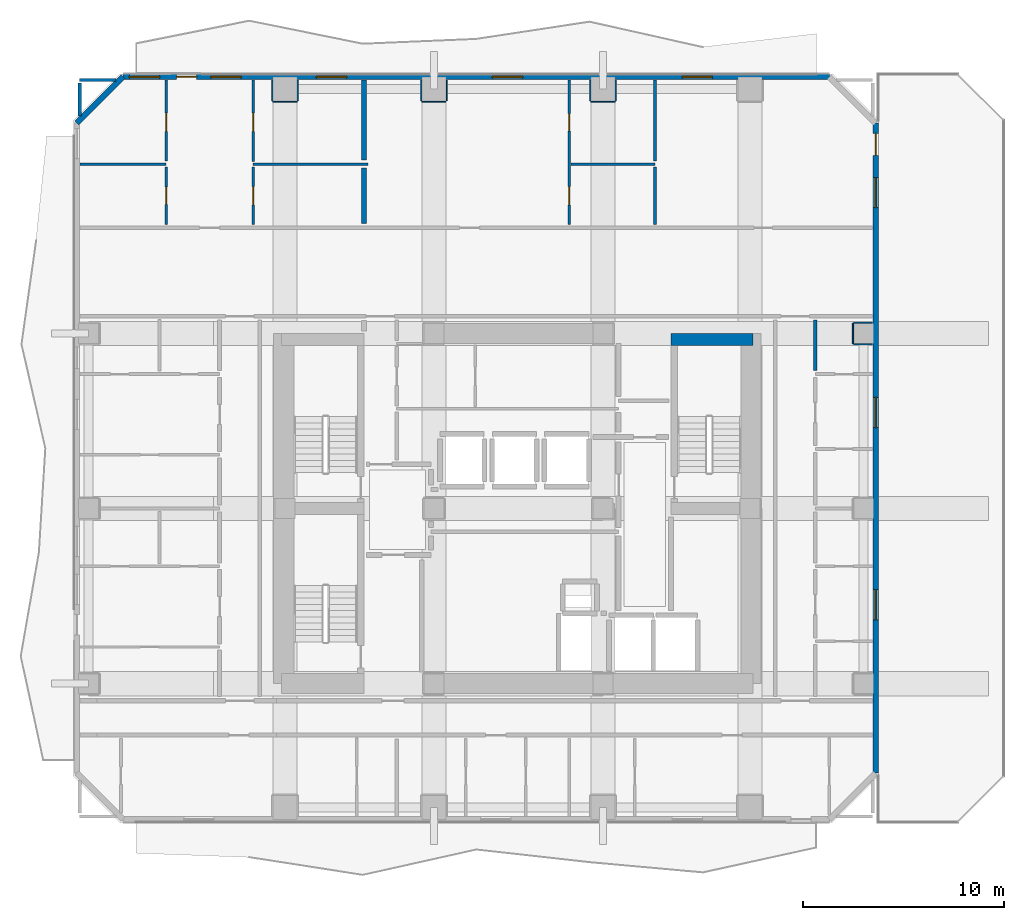
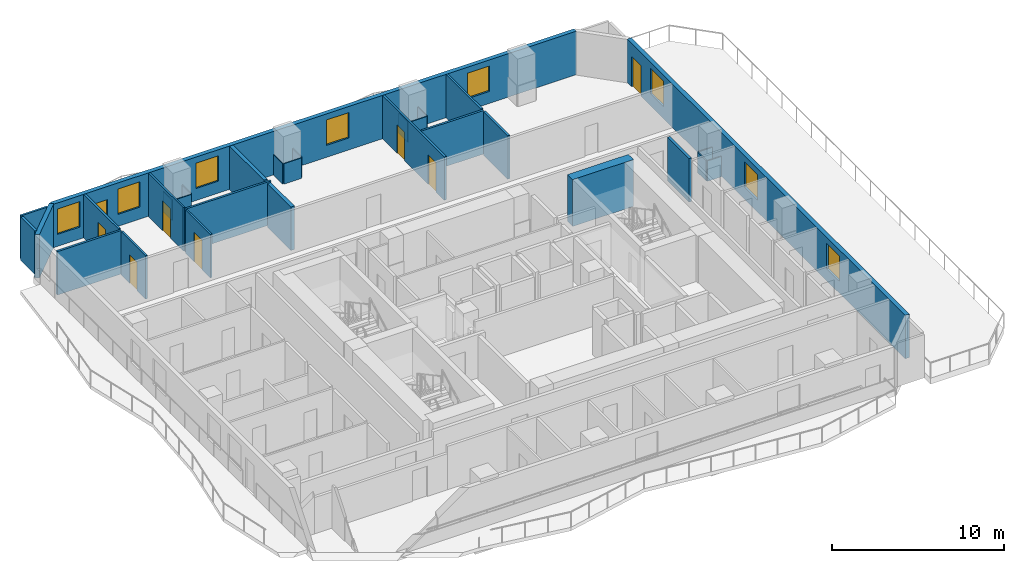
# One storey, part 6 of 11: 31 walls, 8 doors, 8 windows, 16 openings.
"""IFC4 building model written with IfcOpenShell, lengths in metres."""

import ifcopenshell
import ifcopenshell.guid

model = None  # the IFC model being written
_history = None  # IfcOwnerHistory: only IFC2X3 demands one
_inside = {}  # id of a spatial element -> (the spatial element, [elements in it])
_under = {}  # id of a project, library or spatial element -> (it, [spatial elements below it])
_declared = {}  # id of a project -> (the project, [libraries it declares])
_typed = {}  # id of a type object -> (the type object, [elements of that type])
_made_of = {}  # id of a material, layer set ... -> (it, [elements and type objects made of it])


def new_model(schema):
    """Start an empty IFC model of exactly this schema.

    Asked for "IFC4X3", IfcOpenShell would pick the latest addendum, in which some entities
    have other attributes; the version numbers below select the first issue.
    IFC2X3 requires an IfcOwnerHistory on every rooted entity: one is made here for all.
    """
    global model, _history
    if schema == "IFC4X3":
        model = ifcopenshell.file(schema_version=(4, 3, 0, 0))
    else:
        model = ifcopenshell.file(schema=schema)
    _inside.clear()
    _under.clear()
    _declared.clear()
    _typed.clear()
    _made_of.clear()
    _history = None
    if model.schema == "IFC2X3":
        org = make("IfcOrganization", Name="unknown")
        user = make(
            "IfcPersonAndOrganization",
            ThePerson=make("IfcPerson", FamilyName="unknown"),
            TheOrganization=org,
        )
        app = make(
            "IfcApplication",
            ApplicationDeveloper=org,
            Version="unknown",
            ApplicationFullName="unknown",
            ApplicationIdentifier="unknown",
        )
        _history = make(
            "IfcOwnerHistory",
            OwningUser=user,
            OwningApplication=app,
            ChangeAction="ADDED",
            CreationDate=0,
        )
    return model


def make(cls, **values):
    """One entity of the class cls with the attributes given. An attribute that is None is left unset."""
    return model.create_entity(
        cls, **{name: value for name, value in values.items() if value is not None}
    )


def rooted(cls, **values):
    """An entity with a GlobalId (a new one), such as an element, a storey or a relation."""
    return make(cls, GlobalId=ifcopenshell.guid.new(), OwnerHistory=_history, **values)


def si_unit(unit_type, name, prefix=None):
    """IfcSIUnit, for example si_unit("LENGTHUNIT", "METRE", prefix="MILLI")."""
    return make("IfcSIUnit", UnitType=unit_type, Prefix=prefix, Name=name)


def assignment(units):
    """IfcUnitAssignment: the units of a project."""
    return None if units is None else make("IfcUnitAssignment", Units=units)


def point(xyz):
    """IfcCartesianPoint."""
    return None if xyz is None else make("IfcCartesianPoint", Coordinates=xyz)


def direction(xyz):
    """IfcDirection."""
    return None if xyz is None else make("IfcDirection", DirectionRatios=xyz)


def frame(location, z_axis=None, x_axis=None):
    """IfcAxis2Placement3D, a coordinate frame: its origin and axes. An axis left out is left unset."""
    return make(
        "IfcAxis2Placement3D",
        Location=point(location),
        Axis=direction(z_axis),
        RefDirection=direction(x_axis),
    )


def frame_2d(location, x_axis=None):
    """IfcAxis2Placement2D, a coordinate frame in the plane: its origin and x axis."""
    return make(
        "IfcAxis2Placement2D", Location=point(location), RefDirection=direction(x_axis)
    )


def origin():
    """The frame at (0, 0, 0) with its axes left unset."""
    return frame((0.0, 0.0, 0.0))


def place(relative_to, where):
    """IfcLocalPlacement: puts the frame where relative to a parent placement (None: the world)."""
    return make(
        "IfcLocalPlacement", PlacementRelTo=relative_to, RelativePlacement=where
    )


def context(
    kind, dimensions, precision=None, world=None, true_north=None, identifier=None
):
    """IfcGeometricRepresentationContext, for example the 3D "Model" context."""
    return make(
        "IfcGeometricRepresentationContext",
        ContextIdentifier=identifier,
        ContextType=kind,
        CoordinateSpaceDimension=dimensions,
        Precision=precision,
        WorldCoordinateSystem=world,
        TrueNorth=true_north,
    )


def subcontext(parent, identifier, kind, view, scale=None):
    """IfcGeometricRepresentationSubContext, for example "Body" below "Model"."""
    return make(
        "IfcGeometricRepresentationSubContext",
        ContextIdentifier=identifier,
        ContextType=kind,
        ParentContext=parent,
        TargetScale=scale,
        TargetView=view,
    )


def project(units=None, contexts=None):
    """IfcProject with its units and contexts."""
    return rooted(
        "IfcProject",
        Name="project",
        RepresentationContexts=contexts,
        UnitsInContext=assignment(units),
    )


def spatial(cls, under=None, at=None, **own):
    """A site, building, storey or space (cls), placed at a placement, below another one or the project."""
    s = rooted(cls, ObjectPlacement=at, **own)
    if under is not None:
        _under.setdefault(under.id(), (under, []))[1].append(s)
    return s


def profile(cls, at=None, kind="AREA", **sizes):
    """A parametric profile (cls). Its sizes go by their IFC names, for example OverallWidth=200.0."""
    return make(cls, ProfileType=kind, Position=at, **sizes)


def rectangle(**sizes):
    """IfcRectangleProfileDef."""
    return profile("IfcRectangleProfileDef", **sizes)


def extrude(swept, where, along, depth):
    """IfcExtrudedAreaSolid: the profile swept, set in the frame where, extruded along a direction by depth."""
    return make(
        "IfcExtrudedAreaSolid",
        SweptArea=swept,
        Position=where,
        ExtrudedDirection=direction(along),
        Depth=depth,
    )


def shape(context_of_items, identifier, shape_type, items):
    """IfcShapeRepresentation: the items that make up one representation, for example the "Body"."""
    return make(
        "IfcShapeRepresentation",
        ContextOfItems=context_of_items,
        RepresentationIdentifier=identifier,
        RepresentationType=shape_type,
        Items=items,
    )


def material(Name=None, Category=None):
    """IfcMaterial."""
    return make("IfcMaterial", Name=Name, Category=Category)


def layer(
    of_material, thickness, ventilated=None, Name=None, Category=None, Priority=None
):
    """IfcMaterialLayer: one layer of a wall or slab, of a material (None: an air gap)."""
    return make(
        "IfcMaterialLayer",
        Material=of_material,
        LayerThickness=thickness,
        IsVentilated=ventilated,
        Name=Name,
        Category=Category,
        Priority=Priority,
    )


def layer_set(layers, Name=None):
    """IfcMaterialLayerSet."""
    return make("IfcMaterialLayerSet", MaterialLayers=layers, LayerSetName=Name)


def made_of(thing, what):
    """Note that an element or type object is made of a material, layer set ...; save() writes the relation."""
    if what is not None:
        _made_of.setdefault(what.id(), (what, []))[1].append(thing)
    return thing


def type_object(cls, material=None, **own):
    """A type object (cls), such as IfcWallType, which elements share."""
    return made_of(rooted(cls, **own), material)


def element(
    cls,
    number,
    at=None,
    inside=None,
    cuts=None,
    type_object=None,
    material=None,
    context=None,
    identifier="Body",
    shape_type=None,
    held_by="IfcProductDefinitionShape",
    body=None,
    shapes=None,
    **own,
):
    """One element of the class cls, such as IfcWall. Its Tag is "e" and its number.

    at: its placement. inside: the storey or other place that contains it. cuts: it is an
    opening in that element (IfcRelVoidsElement). A single representation is given by context,
    identifier, shape_type and body (its items); several are given by shapes. held_by: the class
    of the entity that holds the representations. save() writes the other relations.
    """
    e = rooted(cls, Tag="e%d" % number, ObjectPlacement=at, **own)
    if body is not None:
        shapes = [shape(context, identifier, shape_type, body)]
    if shapes is not None:
        e.Representation = make(held_by, Representations=shapes)
    if inside is not None:
        _inside.setdefault(inside.id(), (inside, []))[1].append(e)
    if cuts is not None:
        rooted(
            "IfcRelVoidsElement", RelatingBuildingElement=cuts, RelatedOpeningElement=e
        )
    if type_object is not None:
        _typed.setdefault(type_object.id(), (type_object, []))[1].append(e)
    return made_of(e, material)


def fill(opening, filler):
    """IfcRelFillsElement: the door or window that sits in an opening."""
    return rooted(
        "IfcRelFillsElement",
        RelatingOpeningElement=opening,
        RelatedBuildingElement=filler,
    )


def aggregate(whole, parts):
    """IfcRelAggregates: a whole, such as a stair, and the parts it consists of."""
    return rooted("IfcRelAggregates", RelatingObject=whole, RelatedObjects=parts)


def save(model, path):
    """Write the relations noted so far, then the file.

    IfcRelAggregates (storeys below a building ...), IfcRelContainedInSpatialStructure (elements
    in a storey), IfcRelDefinesByType, IfcRelAssociatesMaterial and IfcRelDeclares: one each for
    every whole, place, type object, material and project.
    """
    for whole, parts in _under.values():
        aggregate(whole, parts)
    for where, things in _inside.values():
        rooted(
            "IfcRelContainedInSpatialStructure",
            RelatedElements=things,
            RelatingStructure=where,
        )
    for kind, things in _typed.values():
        rooted("IfcRelDefinesByType", RelatedObjects=things, RelatingType=kind)
    for what, things in _made_of.values():
        rooted("IfcRelAssociatesMaterial", RelatedObjects=things, RelatingMaterial=what)
    for by, libraries in _declared.values():
        rooted("IfcRelDeclares", RelatingContext=by, RelatedDefinitions=libraries)
    model.write(path)


model = new_model("IFC4")

# Units and contexts
model_context = context("Model", 3, precision=1e-05, world=origin(), true_north=direction((0.0, 1.0)))
body_context = subcontext(model_context, "Body", "Model", "MODEL_VIEW")
ifc_project = project(units=[si_unit("LENGTHUNIT", "METRE"), si_unit("AREAUNIT", "SQUARE_METRE"), si_unit("VOLUMEUNIT", "CUBIC_METRE"), si_unit("PLANEANGLEUNIT", "RADIAN"), si_unit("MASSUNIT", "GRAM", prefix="KILO")], contexts=[model_context])

# Site, building, storey
site_placement = place(None, origin())
site = spatial("IfcSite", under=ifc_project, at=site_placement, CompositionType="ELEMENT")
building_placement = place(site_placement, origin())
building = spatial("IfcBuilding", under=site, at=building_placement, Name="Solanera Arch Residences", CompositionType="ELEMENT")
storey_placement = place(building_placement, frame((0.0, 0.0, 165.840087890625)))
storey = spatial("IfcBuildingStorey", under=building, at=storey_placement, Name="L48", CompositionType="ELEMENT", Elevation=165.840087890625)

# Walls
ifc_material_1 = material(Name="Fire-Rated Gypsum Stud Partition", Category="gypsum")
ifc_layer_1 = layer(ifc_material_1, 0.06005859375)
ifc_layer_set_1 = layer_set([ifc_layer_1], Name="Fire-Rated Gypsum Stud Partition")
wall_type_1 = type_object("IfcWallType", Name="Column Acoustic Furring Wall 60", PredefinedType="PARTITIONING", material=ifc_layer_set_1)
wall_1_placement = place(storey_placement, frame((12.800048828125, 50.91796875, 0.0), z_axis=(0.0, 0.0, 1.0), x_axis=(1.0, 0.0, 0.0)))
element("IfcWall", 1, at=wall_1_placement, inside=storey, type_object=wall_type_1, Name="L48 Column Furring 10S", PredefinedType="PARTITIONING", context=body_context, shape_type="SweptSolid", body=[
    extrude(rectangle(XDim=1.199951171875, YDim=0.06005859375, at=frame_2d((0.60009765625, 0.0))), origin(), (0.0, 0.0, 1.0), 1.449951171875),
])
for number, where, z_axis, x_axis, name in (
    (2, (12.76806640625, 50.949951171875, 0.0), (0.0, 0.0, 1.0), (0.0, 1.0, 0.0), "L48 Column Furring 10W"),
    (3, (14.031982421875, 50.949951171875, 0.0), (0.0, 0.0, 1.0), (0.0, 1.0, 0.0), "L48 Column Furring 10E"),
):
    element("IfcWall", number, at=place(storey_placement, frame(where, z_axis=z_axis, x_axis=x_axis)), inside=storey, type_object=wall_type_1, Name=name, PredefinedType="PARTITIONING", context=body_context, shape_type="SweptSolid", body=[
        extrude(rectangle(XDim=1.0400390625, YDim=0.06005859375, at=frame_2d((0.52001953125, 0.0))), origin(), (0.0, 0.0, 1.0), 1.449951171875),
    ])
wall_2_placement = place(storey_placement, frame((20.199951171875, 50.91796875, 0.0), z_axis=(0.0, 0.0, 1.0), x_axis=(1.0, 0.0, 0.0)))
element("IfcWall", 4, at=wall_2_placement, inside=storey, type_object=wall_type_1, Name="L48 Column Furring 12S", PredefinedType="PARTITIONING", context=body_context, shape_type="SweptSolid", body=[
    extrude(rectangle(XDim=1.199951171875, YDim=0.06005859375, at=frame_2d((0.60009765625, 0.0))), origin(), (0.0, 0.0, 1.0), 1.449951171875),
])
for number, where, z_axis, x_axis, name in (
    (5, (20.16796875, 50.949951171875, 0.0), (0.0, 0.0, 1.0), (0.0, 1.0, 0.0), "L48 Column Furring 12W"),
    (6, (21.431884765625, 50.949951171875, 0.0), (0.0, 0.0, 1.0), (0.0, 1.0, 0.0), "L48 Column Furring 12E"),
):
    element("IfcWall", number, at=place(storey_placement, frame(where, z_axis=z_axis, x_axis=x_axis)), inside=storey, type_object=wall_type_1, Name=name, PredefinedType="PARTITIONING", context=body_context, shape_type="SweptSolid", body=[
        extrude(rectangle(XDim=1.0400390625, YDim=0.06005859375, at=frame_2d((0.52001953125, 0.0))), origin(), (0.0, 0.0, 1.0), 1.449951171875),
    ])
wall_3_placement = place(storey_placement, frame((28.60009765625, 50.91796875, 0.0), z_axis=(0.0, 0.0, 1.0), x_axis=(1.0, 0.0, 0.0)))
element("IfcWall", 7, at=wall_3_placement, inside=storey, type_object=wall_type_1, Name="L48 Column Furring 14S", PredefinedType="PARTITIONING", context=body_context, shape_type="SweptSolid", body=[
    extrude(rectangle(XDim=1.199951171875, YDim=0.06005859375, at=frame_2d((0.60009765625, 0.0))), origin(), (0.0, 0.0, 1.0), 1.449951171875),
])
for number, where, z_axis, x_axis, name in (
    (8, (28.568115234375, 50.949951171875, 0.0), (0.0, 0.0, 1.0), (0.0, 1.0, 0.0), "L48 Column Furring 14W"),
    (9, (29.83203125, 50.949951171875, 0.0), (0.0, 0.0, 1.0), (0.0, 1.0, 0.0), "L48 Column Furring 14E"),
):
    element("IfcWall", number, at=place(storey_placement, frame(where, z_axis=z_axis, x_axis=x_axis)), inside=storey, type_object=wall_type_1, Name=name, PredefinedType="PARTITIONING", context=body_context, shape_type="SweptSolid", body=[
        extrude(rectangle(XDim=1.0400390625, YDim=0.06005859375, at=frame_2d((0.52001953125, 0.0))), origin(), (0.0, 0.0, 1.0), 1.449951171875),
    ])
for number, where, z_axis, x_axis, name in (
    (10, (41.64990234375, 38.867919921875, 0.0), (0.0, 0.0, 1.0), (1.0, 0.0, 0.0), "L48 Column Furring 22S"),
    (11, (41.64990234375, 39.931884765625, 0.0), (0.0, 0.0, 1.0), (1.0, 0.0, 0.0), "L48 Column Furring 22N"),
):
    element("IfcWall", number, at=place(storey_placement, frame(where, z_axis=z_axis, x_axis=x_axis)), inside=storey, type_object=wall_type_1, Name=name, PredefinedType="PARTITIONING", context=body_context, shape_type="SweptSolid", body=[
        extrude(rectangle(XDim=0.940185546875, YDim=0.06005859375, at=frame_2d((0.47021484375, 0.0))), origin(), (0.0, 0.0, 1.0), 1.449951171875),
    ])
wall_4_placement = place(storey_placement, frame((41.617919921875, 38.89990234375, 0.0), z_axis=(0.0, 0.0, 1.0), x_axis=(0.0, 1.0, 0.0)))
element("IfcWall", 12, at=wall_4_placement, inside=storey, type_object=wall_type_1, Name="L48 Column Furring 22W", PredefinedType="PARTITIONING", context=body_context, shape_type="SweptSolid", body=[
    extrude(rectangle(XDim=1.0, YDim=0.06005859375, at=frame_2d((0.5, 0.0))), origin(), (0.0, 0.0, 1.0), 1.449951171875),
])
ifc_material_2 = material(Name="Concrete C40/50 (f'c = 45 MPa)", Category="concrete")
ifc_layer_2 = layer(ifc_material_2, 0.60009765625)
ifc_layer_set_2 = layer_set([ifc_layer_2], Name="Concrete C40/50 (f'c = 45 MPa)")
wall_type_2 = type_object("IfcWallType", Name="Core Shear Wall CW-600", PredefinedType="SHEAR", material=ifc_layer_set_2)
wall_5_placement = place(storey_placement, frame((32.580078125, 39.10009765625, 0.0), z_axis=(0.0, 0.0, 1.0), x_axis=(1.0, 0.0, 0.0)))
element("IfcWall", 13, at=wall_5_placement, inside=storey, type_object=wall_type_2, Name="L48 North-East Core Shear Wall", PredefinedType="SHEAR", context=body_context, shape_type="SweptSolid", body=[
    extrude(rectangle(XDim=4.079833984375, YDim=0.60009765625, at=frame_2d((2.0400390625, 0.0))), origin(), (0.0, 0.0, 1.0), 3.31982421875),
])
ifc_material_3 = material(Name="Autoclaved Aerated Concrete Blockwork", Category="masonry")
ifc_layer_3 = layer(ifc_material_3, 0.179931640625)
ifc_layer_set_3 = layer_set([ifc_layer_3], Name="Autoclaved Aerated Concrete Blockwork")
wall_type_3 = type_object("IfcWallType", Name="Corridor Fire Partition 180", PredefinedType="PARTITIONING", material=ifc_layer_set_3)
wall_6_placement = place(storey_placement, frame((3.199951171875, 50.205078125, 0.0), z_axis=(0.0, 0.0, 1.0), x_axis=(0.0, 1.0, 0.0)))
element("IfcWall", 14, at=wall_6_placement, inside=storey, type_object=wall_type_3, Name="L48 Interior Partition V7 2", PredefinedType="PARTITIONING", context=body_context, shape_type="SweptSolid", body=[
    extrude(rectangle(XDim=1.626953125, YDim=0.179931640625, at=frame_2d((0.8134765625, 0.0))), origin(), (0.0, 0.0, 1.0), 3.079833984375),
])
wall_7_placement = place(storey_placement, frame((39.75, 37.552978515625, 0.0), z_axis=(0.0, 0.0, 1.0), x_axis=(0.0, 1.0, 0.0)))
element("IfcWall", 15, at=wall_7_placement, inside=storey, type_object=wall_type_3, Name="L48 Interior Partition V14 6", PredefinedType="PARTITIONING", context=body_context, shape_type="SweptSolid", body=[
    extrude(rectangle(XDim=2.509033203125, YDim=0.179931640625, at=frame_2d((1.25439453125, 0.0))), origin(), (0.0, 0.0, 1.0), 3.079833984375),
])
ifc_material_4 = material(Name="Precast Concrete C35/45", Category="concrete")
ifc_layer_4 = layer(ifc_material_4, 0.280029296875)
ifc_layer_set_4 = layer_set([ifc_layer_4], Name="Precast Concrete C35/45")
wall_type_4 = type_object("IfcWallType", Name="Exterior Wall Precast Masonry-Frame 280", PredefinedType="STANDARD", material=ifc_layer_set_4)
wall_8_placement = place(storey_placement, frame((3.054931640625, 49.844970703125, 0.0), z_axis=(0.0, 0.0, 1.0), x_axis=(0.707106781187, 0.707106781187, 0.0)))
element("IfcWall", 16, at=wall_8_placement, inside=storey, type_object=wall_type_4, Name="L48 Tower Exterior Precast Masonry-Frame Wall CH1", PredefinedType="STANDARD", context=body_context, shape_type="SweptSolid", body=[
    extrude(rectangle(XDim=3.252685546875, YDim=0.280029296875, at=frame_2d((1.62646484375, 0.0))), origin(), (0.0, 0.0, 1.0), 3.079833984375),
])

# Wall, openings, door, windows
wall_9_placement = place(storey_placement, frame((5.35498046875, 52.14501953125, 0.0), z_axis=(0.0, 0.0, 1.0), x_axis=(1.0, 0.0, 0.0)))
wall_9 = element("IfcWall", 17, at=wall_9_placement, inside=storey, type_object=wall_type_4, Name="L48 Tower Exterior Precast Masonry-Frame Wall N", PredefinedType="STANDARD", context=body_context, shape_type="SweptSolid", body=[
    extrude(rectangle(XDim=35.090087890625, YDim=0.280029296875, at=frame_2d((17.544921875, 0.0))), origin(), (0.0, 0.0, 1.0), 3.079833984375),
])
opening_1_placement = place(wall_9_placement, frame((2.657958984375, 0.0, 0.0)))
opening_1 = element("IfcOpeningElement", 18, at=opening_1_placement, cuts=wall_9, Name="Opening DB-01", PredefinedType="OPENING", context=body_context, shape_type="SweptSolid", body=[
    extrude(rectangle(XDim=1.0, YDim=2.14990234375, at=frame_2d((0.5, 1.074951171875))), frame((0.0, 0.14990234375, 0.0), z_axis=(0.0, -1.0, 0.0), x_axis=(1.0, 0.0, 0.0)), (0.0, 0.0, 1.0), 0.3),
])
opening_2_placement = place(wall_9_placement, frame((4.362060546875, 0.0, 0.85009765625)))
opening_2 = element("IfcOpeningElement", 19, at=opening_2_placement, cuts=wall_9, Name="Opening W-02", PredefinedType="OPENING", context=body_context, shape_type="SweptSolid", body=[
    extrude(rectangle(XDim=1.5, YDim=1.800048828125, at=frame_2d((0.75, 0.89990234375))), frame((0.0, 0.14990234375, 0.0), z_axis=(0.0, -1.0, 0.0), x_axis=(1.0, 0.0, 0.0)), (0.0, 0.0, 1.0), 0.3),
])
opening_3_placement = place(wall_9_placement, frame((0.31591796875, 0.0, 0.85009765625)))
opening_3 = element("IfcOpeningElement", 20, at=opening_3_placement, cuts=wall_9, Name="Opening W-02", PredefinedType="OPENING", context=body_context, shape_type="SweptSolid", body=[
    extrude(rectangle(XDim=1.5, YDim=1.800048828125, at=frame_2d((0.75, 0.89990234375))), frame((0.0, 0.14990234375, 0.0), z_axis=(0.0, -1.0, 0.0), x_axis=(1.0, 0.0, 0.0)), (0.0, 0.0, 1.0), 0.3),
])
opening_4_placement = place(wall_9_placement, frame((9.60791015625, 0.0, 0.85009765625)))
opening_4 = element("IfcOpeningElement", 21, at=opening_4_placement, cuts=wall_9, Name="Opening W-02", PredefinedType="OPENING", context=body_context, shape_type="SweptSolid", body=[
    extrude(rectangle(XDim=1.5, YDim=1.800048828125, at=frame_2d((0.75, 0.89990234375))), frame((0.0, 0.14990234375, 0.0), z_axis=(0.0, -1.0, 0.0), x_axis=(1.0, 0.0, 0.0)), (0.0, 0.0, 1.0), 0.3),
])
opening_5_placement = place(wall_9_placement, frame((18.35498046875, 0.0, 0.85009765625)))
opening_5 = element("IfcOpeningElement", 22, at=opening_5_placement, cuts=wall_9, Name="Opening W-02", PredefinedType="OPENING", context=body_context, shape_type="SweptSolid", body=[
    extrude(rectangle(XDim=1.5, YDim=1.800048828125, at=frame_2d((0.75, 0.89990234375))), frame((0.0, 0.14990234375, 0.0), z_axis=(0.0, -1.0, 0.0), x_axis=(1.0, 0.0, 0.0)), (0.0, 0.0, 1.0), 0.3),
])
opening_6_placement = place(wall_9_placement, frame((27.783935546875, 0.0, 0.85009765625)))
opening_6 = element("IfcOpeningElement", 23, at=opening_6_placement, cuts=wall_9, Name="Opening W-02", PredefinedType="OPENING", context=body_context, shape_type="SweptSolid", body=[
    extrude(rectangle(XDim=1.5, YDim=1.800048828125, at=frame_2d((0.75, 0.89990234375))), frame((0.0, 0.14990234375, 0.0), z_axis=(0.0, -1.0, 0.0), x_axis=(1.0, 0.0, 0.0)), (0.0, 0.0, 1.0), 0.3),
])
ifc_material_5 = material(Name="Anodised Aluminium Alloy 6063-T6", Category="aluminium")
door_type_1 = type_object("IfcDoorType", Name="Glazed Balcony Swing Door DB-01", OperationType="NOTDEFINED", PredefinedType="DOOR", material=ifc_material_5)
door_1_placement = place(opening_1_placement, origin())
door_1 = element("IfcDoor", 24, at=door_1_placement, inside=storey, type_object=door_type_1, Name="DR-L48-OUT-03", OperationType="SINGLE_SWING_RIGHT", OverallHeight=2.14990234375, OverallWidth=1.0, PredefinedType="DOOR", context=body_context, shape_type="SweptSolid", body=[
    extrude(rectangle(XDim=1.0, YDim=2.14990234375, at=frame_2d((0.5, 1.074951171875))), frame((0.0, 0.02490234375, 0.0), z_axis=(0.0, -1.0, 0.0), x_axis=(1.0, 0.0, 0.0)), (0.0, 0.0, 1.0), 0.050048828125),
])
fill(opening_1, door_1)
ifc_material_6 = material(Name="Double Glazed Low-E Laminated Glass", Category="glass")
window_type = type_object("IfcWindowType", Name="Punched Window W-02", PartitioningType="DOUBLE_PANEL_VERTICAL", PredefinedType="WINDOW", material=ifc_material_6)
window_1_placement = place(opening_2_placement, origin())
window_1 = element("IfcWindow", 25, at=window_1_placement, inside=storey, type_object=window_type, Name="L48 4804-LIV Punched Window", OverallHeight=1.800048828125, OverallWidth=1.5, PartitioningType="SINGLE_PANEL", PredefinedType="WINDOW", context=body_context, shape_type="SweptSolid", body=[
    extrude(rectangle(XDim=1.5, YDim=1.800048828125, at=frame_2d((0.75, 0.89990234375))), frame((0.0, 0.030029296875, 0.0), z_axis=(0.0, -1.0, 0.0), x_axis=(1.0, 0.0, 0.0)), (0.0, 0.0, 1.0), 0.06005859375),
])
fill(opening_2, window_1)
window_2_placement = place(opening_3_placement, origin())
window_2 = element("IfcWindow", 26, at=window_2_placement, inside=storey, type_object=window_type, Name="L48 4804-BR1 Punched Window", OverallHeight=1.800048828125, OverallWidth=1.5, PartitioningType="SINGLE_PANEL", PredefinedType="WINDOW", context=body_context, shape_type="SweptSolid", body=[
    extrude(rectangle(XDim=1.5, YDim=1.800048828125, at=frame_2d((0.75, 0.89990234375))), frame((0.0, 0.030029296875, 0.0), z_axis=(0.0, -1.0, 0.0), x_axis=(1.0, 0.0, 0.0)), (0.0, 0.0, 1.0), 0.06005859375),
])
fill(opening_3, window_2)
window_3_placement = place(opening_4_placement, origin())
window_3 = element("IfcWindow", 27, at=window_3_placement, inside=storey, type_object=window_type, Name="L48 4804-BR2 Punched Window", OverallHeight=1.800048828125, OverallWidth=1.5, PartitioningType="SINGLE_PANEL", PredefinedType="WINDOW", context=body_context, shape_type="SweptSolid", body=[
    extrude(rectangle(XDim=1.5, YDim=1.800048828125, at=frame_2d((0.75, 0.89990234375))), frame((0.0, 0.030029296875, 0.0), z_axis=(0.0, -1.0, 0.0), x_axis=(1.0, 0.0, 0.0)), (0.0, 0.0, 1.0), 0.06005859375),
])
fill(opening_4, window_3)
window_4_placement = place(opening_5_placement, origin())
window_4 = element("IfcWindow", 28, at=window_4_placement, inside=storey, type_object=window_type, Name="L48 4805-LIV Punched Window", OverallHeight=1.800048828125, OverallWidth=1.5, PartitioningType="SINGLE_PANEL", PredefinedType="WINDOW", context=body_context, shape_type="SweptSolid", body=[
    extrude(rectangle(XDim=1.5, YDim=1.800048828125, at=frame_2d((0.75, 0.89990234375))), frame((0.0, 0.030029296875, 0.0), z_axis=(0.0, -1.0, 0.0), x_axis=(1.0, 0.0, 0.0)), (0.0, 0.0, 1.0), 0.06005859375),
])
fill(opening_5, window_4)
window_5_placement = place(opening_6_placement, origin())
window_5 = element("IfcWindow", 29, at=window_5_placement, inside=storey, type_object=window_type, Name="L48 AMN-OFF Punched Window", OverallHeight=1.800048828125, OverallWidth=1.5, PartitioningType="SINGLE_PANEL", PredefinedType="WINDOW", context=body_context, shape_type="SweptSolid", body=[
    extrude(rectangle(XDim=1.5, YDim=1.800048828125, at=frame_2d((0.75, 0.89990234375))), frame((0.0, 0.030029296875, 0.0), z_axis=(0.0, -1.0, 0.0), x_axis=(1.0, 0.0, 0.0)), (0.0, 0.0, 1.0), 0.06005859375),
])
fill(opening_6, window_5)

wall_10_placement = place(storey_placement, frame((42.7451171875, 49.844970703125, 0.0), z_axis=(0.0, 0.0, 1.0), x_axis=(0.0, -1.0, 0.0)))
wall_10 = element("IfcWall", 30, at=wall_10_placement, inside=storey, type_object=wall_type_4, Name="L48 Tower Exterior Precast Masonry-Frame Wall E", PredefinedType="STANDARD", context=body_context, shape_type="SweptSolid", body=[
    extrude(rectangle(XDim=32.2900390625, YDim=0.280029296875, at=frame_2d((16.14501953125, 0.0))), origin(), (0.0, 0.0, 1.0), 3.079833984375),
])
opening_7_placement = place(wall_10_placement, frame((0.5029296875, 0.0, 0.0)))
opening_7 = element("IfcOpeningElement", 31, at=opening_7_placement, cuts=wall_10, Name="Opening DB-02", PredefinedType="OPENING", context=body_context, shape_type="SweptSolid", body=[
    extrude(rectangle(XDim=1.10009765625, YDim=2.14990234375, at=frame_2d((0.550048828125, 1.074951171875))), frame((0.0, 0.14990234375, 0.0), z_axis=(0.0, -1.0, 0.0), x_axis=(1.0, 0.0, 0.0)), (0.0, 0.0, 1.0), 0.3),
])
opening_8_placement = place(wall_10_placement, frame((2.698974609375, 0.0, 0.85009765625)))
opening_8 = element("IfcOpeningElement", 32, at=opening_8_placement, cuts=wall_10, Name="Opening W-02", PredefinedType="OPENING", context=body_context, shape_type="SweptSolid", body=[
    extrude(rectangle(XDim=1.5, YDim=1.800048828125, at=frame_2d((0.75, 0.89990234375))), frame((0.0, 0.14990234375, 0.0), z_axis=(0.0, -1.0, 0.0), x_axis=(1.0, 0.0, 0.0)), (0.0, 0.0, 1.0), 0.3),
])
opening_9_placement = place(wall_10_placement, frame((23.169921875, 0.0, 0.85009765625)))
opening_9 = element("IfcOpeningElement", 33, at=opening_9_placement, cuts=wall_10, Name="Opening W-02", PredefinedType="OPENING", context=body_context, shape_type="SweptSolid", body=[
    extrude(rectangle(XDim=1.5, YDim=1.800048828125, at=frame_2d((0.75, 0.89990234375))), frame((0.0, 0.14990234375, 0.0), z_axis=(0.0, -1.0, 0.0), x_axis=(1.0, 0.0, 0.0)), (0.0, 0.0, 1.0), 0.3),
])
opening_10_placement = place(wall_10_placement, frame((13.6201171875, 0.0, 0.85009765625)))
opening_10 = element("IfcOpeningElement", 34, at=opening_10_placement, cuts=wall_10, Name="Opening W-02", PredefinedType="OPENING", context=body_context, shape_type="SweptSolid", body=[
    extrude(rectangle(XDim=1.5, YDim=1.800048828125, at=frame_2d((0.75, 0.89990234375))), frame((0.0, 0.14990234375, 0.0), z_axis=(0.0, -1.0, 0.0), x_axis=(1.0, 0.0, 0.0)), (0.0, 0.0, 1.0), 0.3),
])
ifc_material_7 = material(Name="Anodised Aluminium Alloy 6063-T6", Category="aluminium")
door_type_2 = type_object("IfcDoorType", Name="Glazed Terrace Swing Door DB-02", OperationType="NOTDEFINED", PredefinedType="DOOR", material=ifc_material_7)
door_2_placement = place(opening_7_placement, origin())
door_2 = element("IfcDoor", 35, at=door_2_placement, inside=storey, type_object=door_type_2, Name="DR-L48-OUT-01", OperationType="SINGLE_SWING_RIGHT", OverallHeight=2.14990234375, OverallWidth=1.10009765625, PredefinedType="DOOR", context=body_context, shape_type="SweptSolid", body=[
    extrude(rectangle(XDim=1.10009765625, YDim=2.14990234375, at=frame_2d((0.550048828125, 1.074951171875))), frame((0.0, 0.02490234375, 0.0), z_axis=(0.0, -1.0, 0.0), x_axis=(1.0, 0.0, 0.0)), (0.0, 0.0, 1.0), 0.050048828125),
])
fill(opening_7, door_2)
window_6_placement = place(opening_8_placement, origin())
window_6 = element("IfcWindow", 36, at=window_6_placement, inside=storey, type_object=window_type, Name="L48 AMN-OFF Punched Window", OverallHeight=1.800048828125, OverallWidth=1.5, PartitioningType="SINGLE_PANEL", PredefinedType="WINDOW", context=body_context, shape_type="SweptSolid", body=[
    extrude(rectangle(XDim=1.5, YDim=1.800048828125, at=frame_2d((0.75, 0.89990234375))), frame((0.0, 0.030029296875, 0.0), z_axis=(0.0, -1.0, 0.0), x_axis=(1.0, 0.0, 0.0)), (0.0, 0.0, 1.0), 0.06005859375),
])
fill(opening_8, window_6)
window_7_placement = place(opening_9_placement, origin())
window_7 = element("IfcWindow", 37, at=window_7_placement, inside=storey, type_object=window_type, Name="L48 4808-LIV Punched Window", OverallHeight=1.800048828125, OverallWidth=1.5, PartitioningType="SINGLE_PANEL", PredefinedType="WINDOW", context=body_context, shape_type="SweptSolid", body=[
    extrude(rectangle(XDim=1.5, YDim=1.800048828125, at=frame_2d((0.75, 0.89990234375))), frame((0.0, 0.030029296875, 0.0), z_axis=(0.0, -1.0, 0.0), x_axis=(1.0, 0.0, 0.0)), (0.0, 0.0, 1.0), 0.06005859375),
])
fill(opening_9, window_7)
window_8_placement = place(opening_10_placement, origin())
window_8 = element("IfcWindow", 38, at=window_8_placement, inside=storey, type_object=window_type, Name="L48 4809-LIV Punched Window", OverallHeight=1.800048828125, OverallWidth=1.5, PartitioningType="SINGLE_PANEL", PredefinedType="WINDOW", context=body_context, shape_type="SweptSolid", body=[
    extrude(rectangle(XDim=1.5, YDim=1.800048828125, at=frame_2d((0.75, 0.89990234375))), frame((0.0, 0.030029296875, 0.0), z_axis=(0.0, -1.0, 0.0), x_axis=(1.0, 0.0, 0.0)), (0.0, 0.0, 1.0), 0.06005859375),
])
fill(opening_10, window_8)

# Walls
ifc_material_8 = material(Name="Autoclaved Aerated Concrete Blockwork", Category="masonry")
ifc_layer_5 = layer(ifc_material_8, 0.239990234375)
ifc_layer_set_5 = layer_set([ifc_layer_5], Name="Autoclaved Aerated Concrete Blockwork")
wall_type_5 = type_object("IfcWallType", Name="Shaft Wall Fire-Rated 240", PredefinedType="PARTITIONING", material=ifc_layer_set_5)
wall_11_placement = place(storey_placement, frame((17.320068359375, 44.867919921875, 0.0), z_axis=(0.0, 0.0, 1.0), x_axis=(0.0, 1.0, 0.0)))
element("IfcWall", 39, at=wall_11_placement, inside=storey, type_object=wall_type_5, Name="L48 Interior Partition V2 1", PredefinedType="PARTITIONING", context=body_context, shape_type="SweptSolid", body=[
    extrude(rectangle(XDim=2.744140625, YDim=0.239990234375, at=frame_2d((1.3720703125, 0.0))), origin(), (0.0, 0.0, 1.0), 3.079833984375),
])
wall_12_placement = place(storey_placement, frame((17.320068359375, 48.008056640625, 0.0), z_axis=(0.0, 0.0, 1.0), x_axis=(0.0, 1.0, 0.0)))
element("IfcWall", 40, at=wall_12_placement, inside=storey, type_object=wall_type_5, Name="L48 Interior Partition V2 2", PredefinedType="PARTITIONING", context=body_context, shape_type="SweptSolid", body=[
    extrude(rectangle(XDim=3.98486328125, YDim=0.239990234375, at=frame_2d((1.992431640625, 0.0))), origin(), (0.0, 0.0, 1.0), 3.079833984375),
])

# Wall, opening, door
ifc_material_9 = material(Name="Fire-Rated Gypsum Stud Partition", Category="gypsum")
ifc_layer_6 = layer(ifc_material_9, 0.1201171875)
ifc_layer_set_6 = layer_set([ifc_layer_6], Name="Fire-Rated Gypsum Stud Partition")
wall_type_6 = type_object("IfcWallType", Name="Unit Drywall Partition 120", PredefinedType="PARTITIONING", material=ifc_layer_set_6)
wall_13_placement = place(storey_placement, frame((11.820068359375, 44.80810546875, 0.0), z_axis=(0.0, 0.0, 1.0), x_axis=(0.0, 1.0, 0.0)))
wall_13 = element("IfcWall", 41, at=wall_13_placement, inside=storey, type_object=wall_type_6, Name="L48 Interior Partition V25 1", PredefinedType="PARTITIONING", context=body_context, shape_type="SweptSolid", body=[
    extrude(rectangle(XDim=2.864013671875, YDim=0.1201171875, at=frame_2d((1.43212890625, 0.0))), origin(), (0.0, 0.0, 1.0), 3.079833984375),
])
opening_11_placement = place(wall_13_placement, frame((0.985107421875, 0.0, 0.0)))
opening_11 = element("IfcOpeningElement", 42, at=opening_11_placement, cuts=wall_13, Name="Opening DI-02", PredefinedType="OPENING", context=body_context, shape_type="SweptSolid", body=[
    extrude(rectangle(XDim=0.89990234375, YDim=2.10009765625, at=frame_2d((0.449951171875, 1.050048828125))), frame((0.0, 0.070068359375, 0.0), z_axis=(0.0, -1.0, 0.0), x_axis=(1.0, 0.0, 0.0)), (0.0, 0.0, 1.0), 0.1401),
])
ifc_material_10 = material(Name="Fire-Rated Architectural Hardwood", Category="wood")
door_type_3 = type_object("IfcDoorType", Name="Suite Room Swing Door DI-02", OperationType="NOTDEFINED", PredefinedType="DOOR", material=ifc_material_10)
door_3_placement = place(opening_11_placement, origin())
door_3 = element("IfcDoor", 43, at=door_3_placement, inside=storey, type_object=door_type_3, Name="DR-L48-IN-028", OperationType="SINGLE_SWING_LEFT", OverallHeight=2.10009765625, OverallWidth=0.89990234375, PredefinedType="DOOR", context=body_context, shape_type="SweptSolid", body=[
    extrude(rectangle(XDim=0.89990234375, YDim=2.10009765625, at=frame_2d((0.449951171875, 1.050048828125))), frame((0.0, 0.02490234375, 0.0), z_axis=(0.0, -1.0, 0.0), x_axis=(1.0, 0.0, 0.0)), (0.0, 0.0, 1.0), 0.050048828125),
])
fill(opening_11, door_3)

wall_14_placement = place(storey_placement, frame((11.820068359375, 47.947998046875, 0.0), z_axis=(0.0, 0.0, 1.0), x_axis=(0.0, 1.0, 0.0)))
wall_14 = element("IfcWall", 44, at=wall_14_placement, inside=storey, type_object=wall_type_6, Name="L48 Interior Partition V25 2", PredefinedType="PARTITIONING", context=body_context, shape_type="SweptSolid", body=[
    extrude(rectangle(XDim=4.044921875, YDim=0.1201171875, at=frame_2d((2.0224609375, 0.0))), origin(), (0.0, 0.0, 1.0), 3.079833984375),
])
opening_12_placement = place(wall_14_placement, frame((1.493896484375, 0.0, 0.0)))
opening_12 = element("IfcOpeningElement", 45, at=opening_12_placement, cuts=wall_14, Name="Opening DI-03", PredefinedType="OPENING", context=body_context, shape_type="SweptSolid", body=[
    extrude(rectangle(XDim=0.89990234375, YDim=2.10009765625, at=frame_2d((0.449951171875, 1.050048828125))), frame((0.0, 0.070068359375, 0.0), z_axis=(0.0, -1.0, 0.0), x_axis=(1.0, 0.0, 0.0)), (0.0, 0.0, 1.0), 0.1401),
])
ifc_material_11 = material(Name="Fire-Rated Architectural Hardwood", Category="wood")
door_type_4 = type_object("IfcDoorType", Name="Bedroom Swing Door DI-03", OperationType="NOTDEFINED", PredefinedType="DOOR", material=ifc_material_11)
door_4_placement = place(opening_12_placement, origin())
door_4 = element("IfcDoor", 46, at=door_4_placement, inside=storey, type_object=door_type_4, Name="DR-L48-IN-029", OperationType="SINGLE_SWING_RIGHT", OverallHeight=2.10009765625, OverallWidth=0.89990234375, PredefinedType="DOOR", context=body_context, shape_type="SweptSolid", body=[
    extrude(rectangle(XDim=0.89990234375, YDim=2.10009765625, at=frame_2d((0.449951171875, 1.050048828125))), frame((0.0, 0.02490234375, 0.0), z_axis=(0.0, -1.0, 0.0), x_axis=(1.0, 0.0, 0.0)), (0.0, 0.0, 1.0), 0.050048828125),
])
fill(opening_12, door_4)

# Walls
ifc_material_12 = material(Name="Autoclaved Aerated Concrete Blockwork", Category="masonry")
ifc_layer_7 = layer(ifc_material_12, 0.139892578125)
ifc_layer_set_7 = layer_set([ifc_layer_7], Name="Autoclaved Aerated Concrete Blockwork")
wall_type_7 = type_object("IfcWallType", Name="Wet-Room Partition 140", PredefinedType="PARTITIONING", material=ifc_layer_set_7)
wall_15_placement = place(storey_placement, frame((3.20703125, 47.81005859375, 0.0), z_axis=(0.0, 0.0, 1.0), x_axis=(1.0, 0.0, 0.0)))
element("IfcWall", 47, at=wall_15_placement, inside=storey, type_object=wall_type_7, Name="L48 Interior Partition H21", PredefinedType="PARTITIONING", context=body_context, shape_type="SweptSolid", body=[
    extrude(rectangle(XDim=4.291015625, YDim=0.139892578125, at=frame_2d((2.1455078125, 0.0))), origin(), (0.0, 0.0, 1.0), 3.079833984375),
])
wall_16_placement = place(storey_placement, frame((11.820068359375, 47.81005859375, 0.0), z_axis=(0.0, 0.0, 1.0), x_axis=(1.0, 0.0, 0.0)))
element("IfcWall", 48, at=wall_16_placement, inside=storey, type_object=wall_type_7, Name="L48 Interior Partition H22", PredefinedType="PARTITIONING", context=body_context, shape_type="SweptSolid", body=[
    extrude(rectangle(XDim=5.705810546875, YDim=0.139892578125, at=frame_2d((2.85302734375, 0.0))), origin(), (0.0, 0.0, 1.0), 3.079833984375),
])
wall_17_placement = place(storey_placement, frame((27.6201171875, 47.81005859375, 0.0), z_axis=(0.0, 0.0, 1.0), x_axis=(1.0, 0.0, 0.0)))
element("IfcWall", 49, at=wall_17_placement, inside=storey, type_object=wall_type_7, Name="L48 Interior Partition H23", PredefinedType="PARTITIONING", context=body_context, shape_type="SweptSolid", body=[
    extrude(rectangle(XDim=4.157958984375, YDim=0.139892578125, at=frame_2d((2.0791015625, 0.0))), origin(), (0.0, 0.0, 1.0), 3.079833984375),
])
wall_18_placement = place(storey_placement, frame((3.199951171875, 52.0, 0.0), z_axis=(0.0, 0.0, 1.0), x_axis=(1.0, 0.0, 0.0)))
element("IfcWall", 50, at=wall_18_placement, inside=storey, type_object=wall_type_7, Name="L48 Interior Partition H24 1", PredefinedType="PARTITIONING", context=body_context, shape_type="SweptSolid", body=[
    extrude(rectangle(XDim=1.795166015625, YDim=0.139892578125, at=frame_2d((0.8974609375, 0.0))), origin(), (0.0, 0.0, 1.0), 3.079833984375),
])

# Wall, opening, door
wall_19_placement = place(storey_placement, frame((7.498046875, 44.818115234375, 0.0), z_axis=(0.0, 0.0, 1.0), x_axis=(0.0, 1.0, 0.0)))
wall_19 = element("IfcWall", 51, at=wall_19_placement, inside=storey, type_object=wall_type_7, Name="L48 Interior Partition V19 1", PredefinedType="PARTITIONING", context=body_context, shape_type="SweptSolid", body=[
    extrude(rectangle(XDim=2.843994140625, YDim=0.139892578125, at=frame_2d((1.421875, 0.0))), origin(), (0.0, 0.0, 1.0), 3.079833984375),
])
opening_13_placement = place(wall_19_placement, frame((0.9951171875, 0.0, 0.0)))
opening_13 = element("IfcOpeningElement", 52, at=opening_13_placement, cuts=wall_19, Name="Opening DI-05", PredefinedType="OPENING", context=body_context, shape_type="SweptSolid", body=[
    extrude(rectangle(XDim=0.860107421875, YDim=2.02001953125, at=frame_2d((0.43017578125, 1.010009765625))), frame((0.0, 0.079833984375, 0.0), z_axis=(0.0, -1.0, 0.0), x_axis=(1.0, 0.0, 0.0)), (0.0, 0.0, 1.0), 0.1599),
])
ifc_material_13 = material(Name="Fire-Rated Architectural Hardwood", Category="wood")
door_type_5 = type_object("IfcDoorType", Name="Bathroom Swing Door DI-05", OperationType="NOTDEFINED", PredefinedType="DOOR", material=ifc_material_13)
door_5_placement = place(opening_13_placement, origin())
door_5 = element("IfcDoor", 53, at=door_5_placement, inside=storey, type_object=door_type_5, Name="DR-L48-IN-026", OperationType="SINGLE_SWING_LEFT", OverallHeight=2.02001953125, OverallWidth=0.860107421875, PredefinedType="DOOR", context=body_context, shape_type="SweptSolid", body=[
    extrude(rectangle(XDim=0.860107421875, YDim=2.02001953125, at=frame_2d((0.43017578125, 1.010009765625))), frame((0.0, 0.02490234375, 0.0), z_axis=(0.0, -1.0, 0.0), x_axis=(1.0, 0.0, 0.0)), (0.0, 0.0, 1.0), 0.050048828125),
])
fill(opening_13, door_5)

wall_20_placement = place(storey_placement, frame((7.498046875, 47.9580078125, 0.0), z_axis=(0.0, 0.0, 1.0), x_axis=(0.0, 1.0, 0.0)))
wall_20 = element("IfcWall", 54, at=wall_20_placement, inside=storey, type_object=wall_type_7, Name="L48 Interior Partition V19 2", PredefinedType="PARTITIONING", context=body_context, shape_type="SweptSolid", body=[
    extrude(rectangle(XDim=4.034912109375, YDim=0.139892578125, at=frame_2d((2.017578125, 0.0))), origin(), (0.0, 0.0, 1.0), 3.079833984375),
])
opening_14_placement = place(wall_20_placement, frame((1.48388671875, 0.0, 0.0)))
opening_14 = element("IfcOpeningElement", 55, at=opening_14_placement, cuts=wall_20, Name="Opening DI-03", PredefinedType="OPENING", context=body_context, shape_type="SweptSolid", body=[
    extrude(rectangle(XDim=0.89990234375, YDim=2.10009765625, at=frame_2d((0.449951171875, 1.050048828125))), frame((0.0, 0.079833984375, 0.0), z_axis=(0.0, -1.0, 0.0), x_axis=(1.0, 0.0, 0.0)), (0.0, 0.0, 1.0), 0.1599),
])
door_6_placement = place(opening_14_placement, origin())
door_6 = element("IfcDoor", 56, at=door_6_placement, inside=storey, type_object=door_type_4, Name="DR-L48-IN-027", OperationType="SINGLE_SWING_RIGHT", OverallHeight=2.10009765625, OverallWidth=0.89990234375, PredefinedType="DOOR", context=body_context, shape_type="SweptSolid", body=[
    extrude(rectangle(XDim=0.89990234375, YDim=2.10009765625, at=frame_2d((0.449951171875, 1.050048828125))), frame((0.0, 0.02490234375, 0.0), z_axis=(0.0, -1.0, 0.0), x_axis=(1.0, 0.0, 0.0)), (0.0, 0.0, 1.0), 0.050048828125),
])
fill(opening_14, door_6)

# Wall, openings, doors
wall_21_placement = place(storey_placement, frame((27.52001953125, 44.818115234375, 0.0), z_axis=(0.0, 0.0, 1.0), x_axis=(0.0, 1.0, 0.0)))
wall_21 = element("IfcWall", 57, at=wall_21_placement, inside=storey, type_object=wall_type_7, Name="L48 Interior Partition V22", PredefinedType="PARTITIONING", context=body_context, shape_type="SweptSolid", body=[
    extrude(rectangle(XDim=7.1748046875, YDim=0.139892578125, at=frame_2d((3.58740234375, 0.0))), origin(), (0.0, 0.0, 1.0), 3.079833984375),
])
opening_15_placement = place(wall_21_placement, frame((0.97509765625, 0.0, 0.0)))
opening_15 = element("IfcOpeningElement", 58, at=opening_15_placement, cuts=wall_21, Name="Opening DI-02", PredefinedType="OPENING", context=body_context, shape_type="SweptSolid", body=[
    extrude(rectangle(XDim=0.89990234375, YDim=2.10009765625, at=frame_2d((0.449951171875, 1.050048828125))), frame((0.0, 0.079833984375, 0.0), z_axis=(0.0, -1.0, 0.0), x_axis=(1.0, 0.0, 0.0)), (0.0, 0.0, 1.0), 0.1599),
])
opening_16_placement = place(wall_21_placement, frame((4.64404296875, 0.0, 0.0)))
opening_16 = element("IfcOpeningElement", 59, at=opening_16_placement, cuts=wall_21, Name="Opening DI-05", PredefinedType="OPENING", context=body_context, shape_type="SweptSolid", body=[
    extrude(rectangle(XDim=0.860107421875, YDim=2.02001953125, at=frame_2d((0.43017578125, 1.010009765625))), frame((0.0, 0.079833984375, 0.0), z_axis=(0.0, -1.0, 0.0), x_axis=(1.0, 0.0, 0.0)), (0.0, 0.0, 1.0), 0.1599),
])
door_7_placement = place(opening_16_placement, origin())
door_7 = element("IfcDoor", 60, at=door_7_placement, inside=storey, type_object=door_type_5, Name="DR-L48-IN-032", OperationType="SINGLE_SWING_LEFT", OverallHeight=2.02001953125, OverallWidth=0.860107421875, PredefinedType="DOOR", context=body_context, shape_type="SweptSolid", body=[
    extrude(rectangle(XDim=0.860107421875, YDim=2.02001953125, at=frame_2d((0.43017578125, 1.010009765625))), frame((0.0, 0.02490234375, 0.0), z_axis=(0.0, -1.0, 0.0), x_axis=(1.0, 0.0, 0.0)), (0.0, 0.0, 1.0), 0.050048828125),
])
fill(opening_16, door_7)
door_8_placement = place(opening_15_placement, origin())
door_8 = element("IfcDoor", 61, at=door_8_placement, inside=storey, type_object=door_type_3, Name="DR-L48-IN-031", OperationType="SINGLE_SWING_RIGHT", OverallHeight=2.10009765625, OverallWidth=0.89990234375, PredefinedType="DOOR", context=body_context, shape_type="SweptSolid", body=[
    extrude(rectangle(XDim=0.89990234375, YDim=2.10009765625, at=frame_2d((0.449951171875, 1.050048828125))), frame((0.0, 0.02490234375, 0.0), z_axis=(0.0, -1.0, 0.0), x_axis=(1.0, 0.0, 0.0)), (0.0, 0.0, 1.0), 0.050048828125),
])
fill(opening_15, door_8)

# Walls
wall_22_placement = place(storey_placement, frame((31.778076171875, 44.818115234375, 0.0), z_axis=(0.0, 0.0, 1.0), x_axis=(0.0, 1.0, 0.0)))
element("IfcWall", 62, at=wall_22_placement, inside=storey, type_object=wall_type_7, Name="L48 Interior Partition V24 1", PredefinedType="PARTITIONING", context=body_context, shape_type="SweptSolid", body=[
    extrude(rectangle(XDim=2.843994140625, YDim=0.139892578125, at=frame_2d((1.421875, 0.0))), origin(), (0.0, 0.0, 1.0), 3.079833984375),
])
wall_23_placement = place(storey_placement, frame((31.778076171875, 47.9580078125, 0.0), z_axis=(0.0, 0.0, 1.0), x_axis=(0.0, 1.0, 0.0)))
element("IfcWall", 63, at=wall_23_placement, inside=storey, type_object=wall_type_7, Name="L48 Interior Partition V24 2", PredefinedType="PARTITIONING", context=body_context, shape_type="SweptSolid", body=[
    extrude(rectangle(XDim=4.034912109375, YDim=0.139892578125, at=frame_2d((2.017578125, 0.0))), origin(), (0.0, 0.0, 1.0), 3.079833984375),
])

save(model, "model.ifc")
